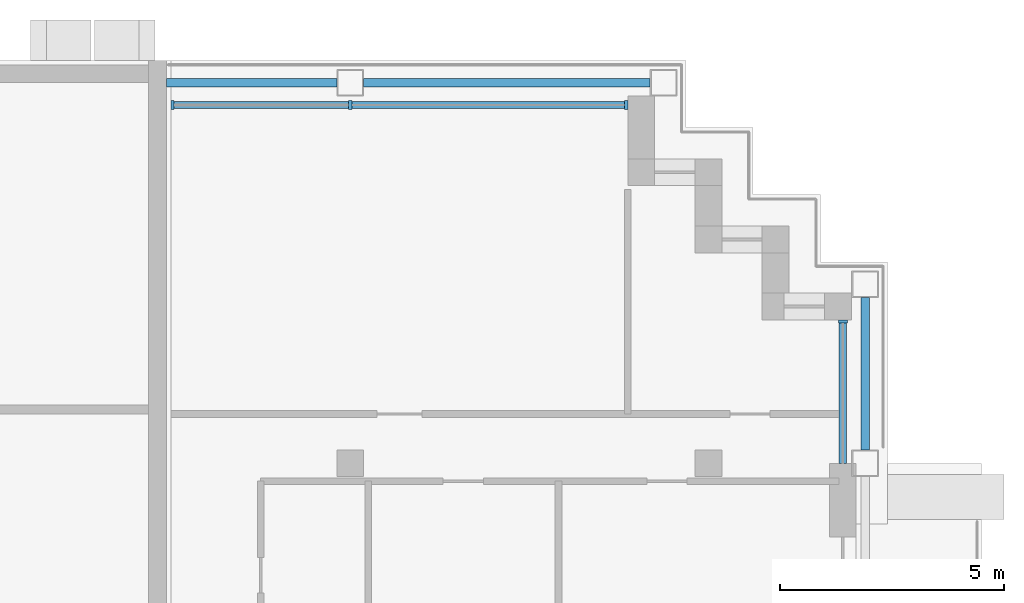
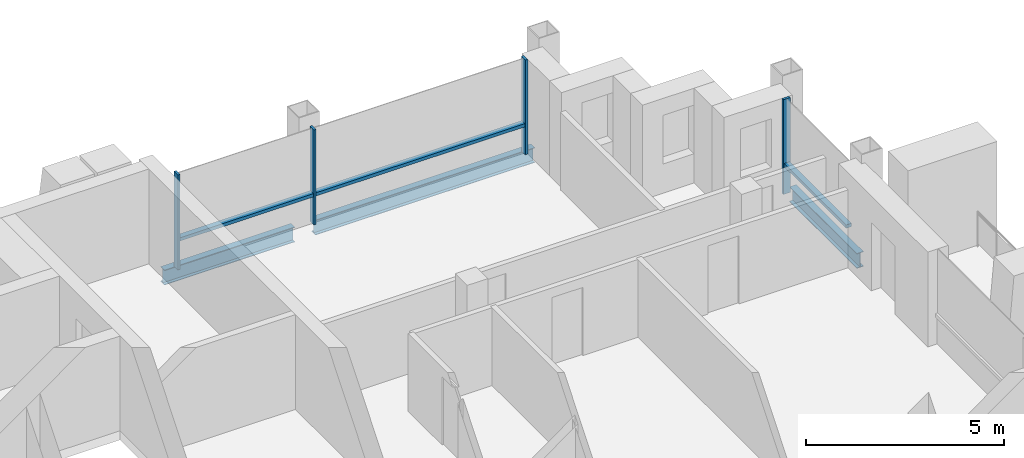
# One storey, part 5 of 15: 7 members, 3 beams, 2 elements without a shape of their own.
"""IFC4 building model written with IfcOpenShell, lengths in metres."""

from ifc_helpers import new_model, si_unit, direction, frame, origin, origin_2d, place, context, subcontext, project, spatial, rectangle, i_section, extrude, material, material_profile, profile_set, type_object, element, aggregate, save


model = new_model("IFC4")

# Units and contexts
model_context = context("Model", 3, precision=1e-05, world=origin(), true_north=direction((0.0, 1.0)))
body_context = subcontext(model_context, "Body", "Model", "MODEL_VIEW")
ifc_project = project(units=[si_unit("LENGTHUNIT", "METRE"), si_unit("AREAUNIT", "SQUARE_METRE"), si_unit("VOLUMEUNIT", "CUBIC_METRE"), si_unit("PLANEANGLEUNIT", "RADIAN"), si_unit("MASSUNIT", "GRAM", prefix="KILO")], contexts=[model_context])

# Site, building, storey
site_placement = place(None, origin())
site = spatial("IfcSite", under=ifc_project, at=site_placement, CompositionType="ELEMENT")
building_placement = place(site_placement, origin())
building = spatial("IfcBuilding", under=site, at=building_placement, Name="Vidyagriha Tower", CompositionType="ELEMENT")
storey_placement = place(building_placement, frame((0.0, 0.0, 210.800048828125)))
storey = spatial("IfcBuildingStorey", under=building, at=storey_placement, Name="L54", CompositionType="ELEMENT", Elevation=210.800048828125)

# Beams
ifc_material_1 = material(Name="Steel ASTM A992 Grade 50", Category="steel")
ifc_material_profile_1 = material_profile(ifc_material_1, i_section(OverallWidth=0.19189453125, OverallDepth=0.46240234375, WebThickness=0.010498046875, FlangeThickness=0.017578125, at=origin_2d()), Name="W18X60")
ifc_profile_set_1 = profile_set([ifc_material_profile_1], Name="Steel ASTM A992 Grade 50")
beam_type = type_object("IfcBeamType", Name="Edge beam W18X60", PredefinedType="SPANDREL", material=ifc_profile_set_1)
beam_1_placement = place(storey_placement, frame((29.5, 11.300048828125, -0.51123046875), z_axis=(0.0, 1.0, 0.0), x_axis=(-1.0, 0.0, 0.0)))
element("IfcBeam", 1, at=beam_1_placement, inside=storey, type_object=beam_type, Name="st-beam-L54-E17", PredefinedType="SPANDREL", context=body_context, shape_type="SweptSolid", body=[
    extrude(i_section(OverallWidth=0.19189453125, OverallDepth=0.46240234375, WebThickness=0.010498046875, FlangeThickness=0.017578125, at=origin_2d()), origin(), (0.0, 0.0, 1.0), 3.39990234375),
])
beam_2_placement = place(storey_placement, frame((18.300048828125, 19.5, -0.51123046875), z_axis=(1.0, 0.0, 0.0), x_axis=(0.0, 1.0, 0.0)))
element("IfcBeam", 2, at=beam_2_placement, inside=storey, type_object=beam_type, Name="st-beam-L54-NE19", PredefinedType="SPANDREL", context=body_context, shape_type="SweptSolid", body=[
    extrude(i_section(OverallWidth=0.19189453125, OverallDepth=0.46240234375, WebThickness=0.010498046875, FlangeThickness=0.017578125, at=origin_2d()), origin(), (0.0, 0.0, 1.0), 6.39990234375),
])
beam_3_placement = place(storey_placement, frame((13.89990234375, 19.5, -0.51123046875), z_axis=(1.0, 0.0, 0.0), x_axis=(0.0, 1.0, 0.0)))
element("IfcBeam", 3, at=beam_3_placement, inside=storey, type_object=beam_type, Name="st-beam-L54-NC21", PredefinedType="SPANDREL", context=body_context, shape_type="SweptSolid", body=[
    extrude(i_section(OverallWidth=0.19189453125, OverallDepth=0.46240234375, WebThickness=0.010498046875, FlangeThickness=0.017578125, at=origin_2d()), origin(), (0.0, 0.0, 1.0), 3.800048828125),
])

# Curtain wall, members
ifc_material_2 = material(Name="Aluminium and glass curtain wall", Category="aluminium")
curtain_wall_type = type_object("IfcCurtainWallType", Name="Dwelling skin unitised curtain wall", PredefinedType="USERDEFINED", material=ifc_material_2)
curtain_wall_1_placement = place(storey_placement, origin())
curtain_wall_1 = element("IfcCurtainWall", 4, at=curtain_wall_1_placement, inside=storey, type_object=curtain_wall_type, Name="CW1 dwelling skin", ObjectType="UNITISED", PredefinedType="USERDEFINED")
ifc_material_3 = material(Name="Aluminium black anodised", Category="aluminium")
ifc_material_profile_2 = material_profile(ifc_material_3, rectangle(XDim=0.199951171875, YDim=0.070068359375, at=origin_2d()), Name="Mullion 70x200 black aluminium")
ifc_profile_set_2 = profile_set([ifc_material_profile_2], Name="Aluminium black anodised")
member_type_1 = type_object("IfcMemberType", Name="Mullion 70x200 black aluminium", PredefinedType="MULLION", material=ifc_profile_set_2)
member_1_placement = place(storey_placement, frame((24.1650390625, 19.0, 0.0), z_axis=(0.0, 0.0, 1.0), x_axis=(0.0, -1.0, 0.0)))
member_1 = element("IfcMember", 5, at=member_1_placement, type_object=member_type_1, Name="CW1 mullion 1", PredefinedType="MULLION", context=body_context, shape_type="SweptSolid", body=[
    extrude(rectangle(XDim=0.199951171875, YDim=0.070068359375, at=origin_2d()), origin(), (0.0, 0.0, 1.0), 2.919921875),
])
member_2_placement = place(storey_placement, frame((18.0, 19.0, 0.0), z_axis=(0.0, 0.0, 1.0), x_axis=(0.0, -1.0, 0.0)))
member_2 = element("IfcMember", 6, at=member_2_placement, type_object=member_type_1, Name="CW1 mullion 2", PredefinedType="MULLION", context=body_context, shape_type="SweptSolid", body=[
    extrude(rectangle(XDim=0.199951171875, YDim=0.070068359375, at=origin_2d()), origin(), (0.0, 0.0, 1.0), 2.919921875),
])
member_3_placement = place(storey_placement, frame((14.034912109375, 19.0, 0.0), z_axis=(0.0, 0.0, 1.0), x_axis=(0.0, -1.0, 0.0)))
member_3 = element("IfcMember", 7, at=member_3_placement, type_object=member_type_1, Name="CW1 mullion 3", PredefinedType="MULLION", context=body_context, shape_type="SweptSolid", body=[
    extrude(rectangle(XDim=0.199951171875, YDim=0.070068359375, at=origin_2d()), origin(), (0.0, 0.0, 1.0), 2.919921875),
])

# Curtain wall, member
curtain_wall_2_placement = place(storey_placement, origin())
curtain_wall_2 = element("IfcCurtainWall", 8, at=curtain_wall_2_placement, inside=storey, type_object=curtain_wall_type, Name="CW1 dwelling skin", ObjectType="UNITISED", PredefinedType="USERDEFINED")
member_4_placement = place(storey_placement, frame((29.0, 14.1650390625, 0.0), z_axis=(0.0, 0.0, 1.0), x_axis=(-1.0, 0.0, 0.0)))
member_4 = element("IfcMember", 9, at=member_4_placement, type_object=member_type_1, Name="CW1 mullion 2", PredefinedType="MULLION", context=body_context, shape_type="SweptSolid", body=[
    extrude(rectangle(XDim=0.199951171875, YDim=0.070068359375, at=origin_2d()), origin(), (0.0, 0.0, 1.0), 2.919921875),
])

# Member
ifc_material_4 = material(Name="Aluminium black anodised", Category="aluminium")
ifc_material_profile_3 = material_profile(ifc_material_4, rectangle(XDim=0.159912109375, YDim=0.10009765625, at=origin_2d()), Name="Transom 100x160 black aluminium")
ifc_profile_set_3 = profile_set([ifc_material_profile_3], Name="Aluminium black anodised")
member_type_2 = type_object("IfcMemberType", Name="Transom 100x160 black aluminium", PredefinedType="USERDEFINED", material=ifc_profile_set_3)
member_5_placement = place(storey_placement, frame((24.1298828125, 19.0, 0.89990234375), z_axis=(-1.0, 0.0, 0.0), x_axis=(0.0, -1.0, 0.0)))
member_5 = element("IfcMember", 10, at=member_5_placement, type_object=member_type_2, Name="CW1 transom 1.1", ObjectType="TRANSOM", PredefinedType="USERDEFINED", context=body_context, shape_type="SweptSolid", body=[
    extrude(rectangle(XDim=0.159912109375, YDim=0.10009765625, at=origin_2d()), origin(), (0.0, 0.0, 1.0), 6.094970703125),
])

member_6_placement = place(storey_placement, frame((17.965087890625, 19.0, 0.89990234375), z_axis=(-1.0, 0.0, 0.0), x_axis=(0.0, -1.0, 0.0)))
member_6 = element("IfcMember", 11, at=member_6_placement, type_object=member_type_2, Name="CW1 transom 2.1", ObjectType="TRANSOM", PredefinedType="USERDEFINED", context=body_context, shape_type="SweptSolid", body=[
    extrude(rectangle(XDim=0.159912109375, YDim=0.10009765625, at=origin_2d()), origin(), (0.0, 0.0, 1.0), 3.89501953125),
])

aggregate(curtain_wall_1, [member_1, member_2, member_3, member_5, member_6])

member_7_placement = place(storey_placement, frame((29.0, 11.0, 0.89990234375), z_axis=(0.0, 1.0, 0.0), x_axis=(-1.0, 0.0, 0.0)))
member_7 = element("IfcMember", 12, at=member_7_placement, type_object=member_type_2, Name="CW1 transom 1.1", ObjectType="TRANSOM", PredefinedType="USERDEFINED", context=body_context, shape_type="SweptSolid", body=[
    extrude(rectangle(XDim=0.159912109375, YDim=0.10009765625, at=origin_2d()), origin(), (0.0, 0.0, 1.0), 3.1298828125),
])

aggregate(curtain_wall_2, [member_4, member_7])

save(model, "model.ifc")
